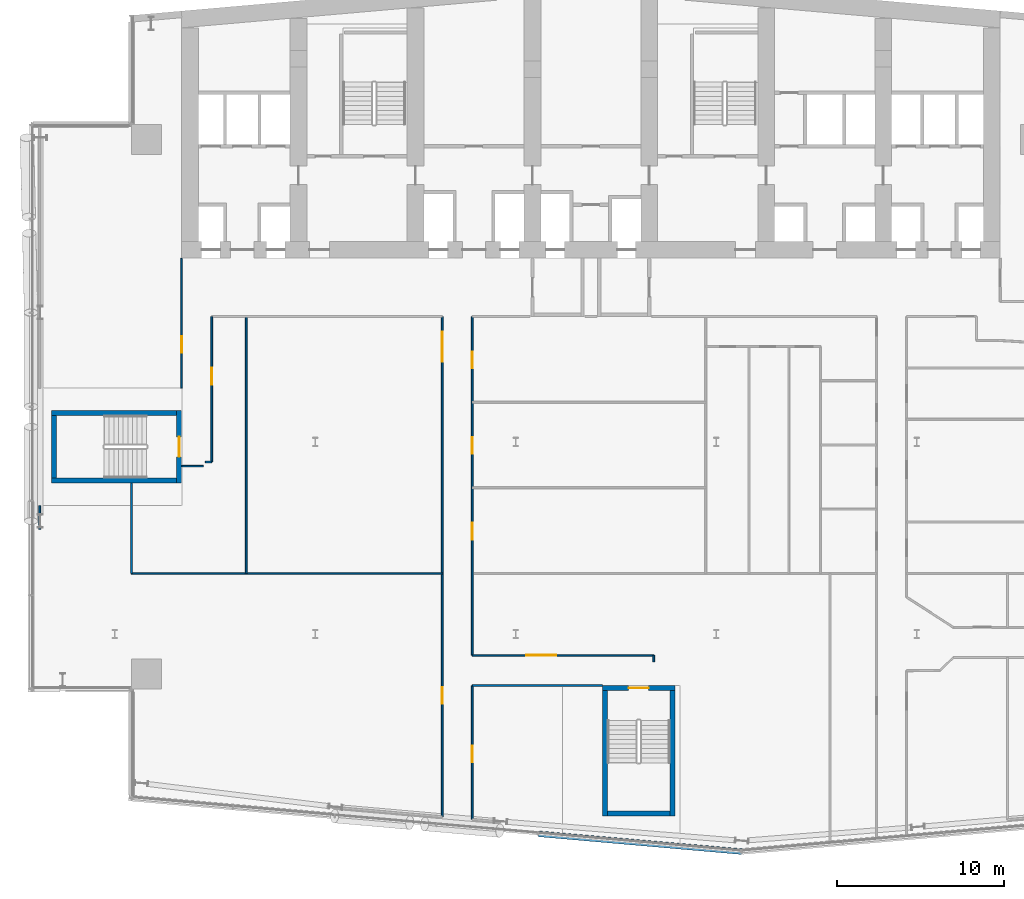
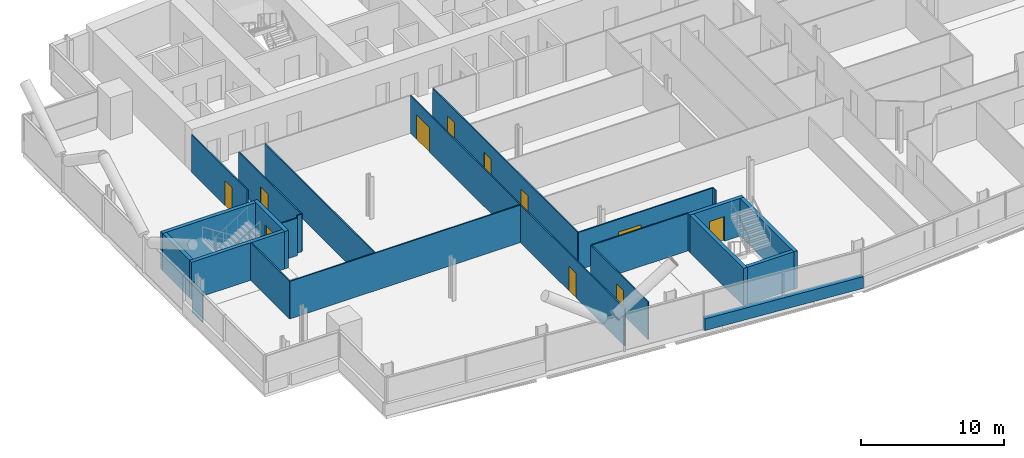
# One storey, part 14 of 27: 23 walls, 11 doors, 11 openings.
"""IFC4 building model written with IfcOpenShell, lengths in metres."""

import ifcopenshell
import ifcopenshell.guid

model = None  # the IFC model being written
_history = None  # IfcOwnerHistory: only IFC2X3 demands one
_inside = {}  # id of a spatial element -> (the spatial element, [elements in it])
_under = {}  # id of a project, library or spatial element -> (it, [spatial elements below it])
_declared = {}  # id of a project -> (the project, [libraries it declares])
_typed = {}  # id of a type object -> (the type object, [elements of that type])
_made_of = {}  # id of a material, layer set ... -> (it, [elements and type objects made of it])


def new_model(schema):
    """Start an empty IFC model of exactly this schema.

    Asked for "IFC4X3", IfcOpenShell would pick the latest addendum, in which some entities
    have other attributes; the version numbers below select the first issue.
    IFC2X3 requires an IfcOwnerHistory on every rooted entity: one is made here for all.
    """
    global model, _history
    if schema == "IFC4X3":
        model = ifcopenshell.file(schema_version=(4, 3, 0, 0))
    else:
        model = ifcopenshell.file(schema=schema)
    _inside.clear()
    _under.clear()
    _declared.clear()
    _typed.clear()
    _made_of.clear()
    _history = None
    if model.schema == "IFC2X3":
        org = make("IfcOrganization", Name="unknown")
        user = make(
            "IfcPersonAndOrganization",
            ThePerson=make("IfcPerson", FamilyName="unknown"),
            TheOrganization=org,
        )
        app = make(
            "IfcApplication",
            ApplicationDeveloper=org,
            Version="unknown",
            ApplicationFullName="unknown",
            ApplicationIdentifier="unknown",
        )
        _history = make(
            "IfcOwnerHistory",
            OwningUser=user,
            OwningApplication=app,
            ChangeAction="ADDED",
            CreationDate=0,
        )
    return model


def make(cls, **values):
    """One entity of the class cls with the attributes given. An attribute that is None is left unset."""
    return model.create_entity(
        cls, **{name: value for name, value in values.items() if value is not None}
    )


def rooted(cls, **values):
    """An entity with a GlobalId (a new one), such as an element, a storey or a relation."""
    return make(cls, GlobalId=ifcopenshell.guid.new(), OwnerHistory=_history, **values)


def si_unit(unit_type, name, prefix=None):
    """IfcSIUnit, for example si_unit("LENGTHUNIT", "METRE", prefix="MILLI")."""
    return make("IfcSIUnit", UnitType=unit_type, Prefix=prefix, Name=name)


def assignment(units):
    """IfcUnitAssignment: the units of a project."""
    return None if units is None else make("IfcUnitAssignment", Units=units)


def point(xyz):
    """IfcCartesianPoint."""
    return None if xyz is None else make("IfcCartesianPoint", Coordinates=xyz)


def direction(xyz):
    """IfcDirection."""
    return None if xyz is None else make("IfcDirection", DirectionRatios=xyz)


def frame(location, z_axis=None, x_axis=None):
    """IfcAxis2Placement3D, a coordinate frame: its origin and axes. An axis left out is left unset."""
    return make(
        "IfcAxis2Placement3D",
        Location=point(location),
        Axis=direction(z_axis),
        RefDirection=direction(x_axis),
    )


def frame_2d(location, x_axis=None):
    """IfcAxis2Placement2D, a coordinate frame in the plane: its origin and x axis."""
    return make(
        "IfcAxis2Placement2D", Location=point(location), RefDirection=direction(x_axis)
    )


def origin():
    """The frame at (0, 0, 0) with its axes left unset."""
    return frame((0.0, 0.0, 0.0))


def place(relative_to, where):
    """IfcLocalPlacement: puts the frame where relative to a parent placement (None: the world)."""
    return make(
        "IfcLocalPlacement", PlacementRelTo=relative_to, RelativePlacement=where
    )


def context(
    kind, dimensions, precision=None, world=None, true_north=None, identifier=None
):
    """IfcGeometricRepresentationContext, for example the 3D "Model" context."""
    return make(
        "IfcGeometricRepresentationContext",
        ContextIdentifier=identifier,
        ContextType=kind,
        CoordinateSpaceDimension=dimensions,
        Precision=precision,
        WorldCoordinateSystem=world,
        TrueNorth=true_north,
    )


def subcontext(parent, identifier, kind, view, scale=None):
    """IfcGeometricRepresentationSubContext, for example "Body" below "Model"."""
    return make(
        "IfcGeometricRepresentationSubContext",
        ContextIdentifier=identifier,
        ContextType=kind,
        ParentContext=parent,
        TargetScale=scale,
        TargetView=view,
    )


def project(units=None, contexts=None):
    """IfcProject with its units and contexts."""
    return rooted(
        "IfcProject",
        Name="project",
        RepresentationContexts=contexts,
        UnitsInContext=assignment(units),
    )


def spatial(cls, under=None, at=None, **own):
    """A site, building, storey or space (cls), placed at a placement, below another one or the project."""
    s = rooted(cls, ObjectPlacement=at, **own)
    if under is not None:
        _under.setdefault(under.id(), (under, []))[1].append(s)
    return s


def profile(cls, at=None, kind="AREA", **sizes):
    """A parametric profile (cls). Its sizes go by their IFC names, for example OverallWidth=200.0."""
    return make(cls, ProfileType=kind, Position=at, **sizes)


def rectangle(**sizes):
    """IfcRectangleProfileDef."""
    return profile("IfcRectangleProfileDef", **sizes)


def extrude(swept, where, along, depth):
    """IfcExtrudedAreaSolid: the profile swept, set in the frame where, extruded along a direction by depth."""
    return make(
        "IfcExtrudedAreaSolid",
        SweptArea=swept,
        Position=where,
        ExtrudedDirection=direction(along),
        Depth=depth,
    )


def shape(context_of_items, identifier, shape_type, items):
    """IfcShapeRepresentation: the items that make up one representation, for example the "Body"."""
    return make(
        "IfcShapeRepresentation",
        ContextOfItems=context_of_items,
        RepresentationIdentifier=identifier,
        RepresentationType=shape_type,
        Items=items,
    )


def material(Name=None, Category=None):
    """IfcMaterial."""
    return make("IfcMaterial", Name=Name, Category=Category)


def layer(
    of_material, thickness, ventilated=None, Name=None, Category=None, Priority=None
):
    """IfcMaterialLayer: one layer of a wall or slab, of a material (None: an air gap)."""
    return make(
        "IfcMaterialLayer",
        Material=of_material,
        LayerThickness=thickness,
        IsVentilated=ventilated,
        Name=Name,
        Category=Category,
        Priority=Priority,
    )


def layer_set(layers, Name=None):
    """IfcMaterialLayerSet."""
    return make("IfcMaterialLayerSet", MaterialLayers=layers, LayerSetName=Name)


def made_of(thing, what):
    """Note that an element or type object is made of a material, layer set ...; save() writes the relation."""
    if what is not None:
        _made_of.setdefault(what.id(), (what, []))[1].append(thing)
    return thing


def type_object(cls, material=None, **own):
    """A type object (cls), such as IfcWallType, which elements share."""
    return made_of(rooted(cls, **own), material)


def element(
    cls,
    number,
    at=None,
    inside=None,
    cuts=None,
    type_object=None,
    material=None,
    context=None,
    identifier="Body",
    shape_type=None,
    held_by="IfcProductDefinitionShape",
    body=None,
    shapes=None,
    **own,
):
    """One element of the class cls, such as IfcWall. Its Tag is "e" and its number.

    at: its placement. inside: the storey or other place that contains it. cuts: it is an
    opening in that element (IfcRelVoidsElement). A single representation is given by context,
    identifier, shape_type and body (its items); several are given by shapes. held_by: the class
    of the entity that holds the representations. save() writes the other relations.
    """
    e = rooted(cls, Tag="e%d" % number, ObjectPlacement=at, **own)
    if body is not None:
        shapes = [shape(context, identifier, shape_type, body)]
    if shapes is not None:
        e.Representation = make(held_by, Representations=shapes)
    if inside is not None:
        _inside.setdefault(inside.id(), (inside, []))[1].append(e)
    if cuts is not None:
        rooted(
            "IfcRelVoidsElement", RelatingBuildingElement=cuts, RelatedOpeningElement=e
        )
    if type_object is not None:
        _typed.setdefault(type_object.id(), (type_object, []))[1].append(e)
    return made_of(e, material)


def fill(opening, filler):
    """IfcRelFillsElement: the door or window that sits in an opening."""
    return rooted(
        "IfcRelFillsElement",
        RelatingOpeningElement=opening,
        RelatedBuildingElement=filler,
    )


def aggregate(whole, parts):
    """IfcRelAggregates: a whole, such as a stair, and the parts it consists of."""
    return rooted("IfcRelAggregates", RelatingObject=whole, RelatedObjects=parts)


def save(model, path):
    """Write the relations noted so far, then the file.

    IfcRelAggregates (storeys below a building ...), IfcRelContainedInSpatialStructure (elements
    in a storey), IfcRelDefinesByType, IfcRelAssociatesMaterial and IfcRelDeclares: one each for
    every whole, place, type object, material and project.
    """
    for whole, parts in _under.values():
        aggregate(whole, parts)
    for where, things in _inside.values():
        rooted(
            "IfcRelContainedInSpatialStructure",
            RelatedElements=things,
            RelatingStructure=where,
        )
    for kind, things in _typed.values():
        rooted("IfcRelDefinesByType", RelatedObjects=things, RelatingType=kind)
    for what, things in _made_of.values():
        rooted("IfcRelAssociatesMaterial", RelatedObjects=things, RelatingMaterial=what)
    for by, libraries in _declared.values():
        rooted("IfcRelDeclares", RelatingContext=by, RelatedDefinitions=libraries)
    model.write(path)


model = new_model("IFC4")

# Units and contexts
model_context = context("Model", 3, precision=1e-05, world=origin(), true_north=direction((0.0, 1.0)))
body_context = subcontext(model_context, "Body", "Model", "MODEL_VIEW")
ifc_project = project(units=[si_unit("LENGTHUNIT", "METRE"), si_unit("AREAUNIT", "SQUARE_METRE"), si_unit("VOLUMEUNIT", "CUBIC_METRE"), si_unit("PLANEANGLEUNIT", "RADIAN"), si_unit("MASSUNIT", "GRAM", prefix="KILO")], contexts=[model_context])

# Site, building, storey
site_placement = place(None, origin())
site = spatial("IfcSite", under=ifc_project, at=site_placement, CompositionType="ELEMENT")
building_placement = place(site_placement, origin())
building = spatial("IfcBuilding", under=site, at=building_placement, Name="Wharfspan Tower", CompositionType="ELEMENT")
storey_placement = place(building_placement, frame((0.0, 0.0, 111.100098)))
storey = spatial("IfcBuildingStorey", under=building, at=storey_placement, Name="L25", CompositionType="ELEMENT", Elevation=111.100098)

# Wall
ifc_material_1 = material(Name="Gypsum board on steel studs", Category="steel")
ifc_layer_1 = layer(ifc_material_1, 0.100098)
ifc_layer_set_1 = layer_set([ifc_layer_1], Name="Gypsum board on steel studs")
wall_type_1 = type_object("IfcWallType", Name="Compartment wall 100 EI 60", PredefinedType="PARTITIONING", material=ifc_layer_set_1)
wall_1_placement = place(storey_placement, frame((13.0, 15.129883, 0.0), z_axis=(0.0, 0.0, 1.0), x_axis=(1.0, 0.0, 0.0)))
element("IfcWall", 1, at=wall_1_placement, inside=storey, type_object=wall_type_1, Name="Partition L25.w004", PredefinedType="PARTITIONING", context=body_context, shape_type="SweptSolid", body=[
    extrude(rectangle(XDim=18.600098, YDim=0.100098, at=frame_2d((9.300049, 0.0))), origin(), (0.0, 0.0, 1.0), 3.199951),
])

# Wall, opening, door
wall_2_placement = place(storey_placement, frame((16.0, 26.219971, 0.0), z_axis=(0.0, 0.0, 1.0), x_axis=(0.0, 1.0, 0.0)))
wall_2 = element("IfcWall", 2, at=wall_2_placement, inside=storey, type_object=wall_type_1, Name="Partition L25.w005", PredefinedType="PARTITIONING", context=body_context, shape_type="SweptSolid", body=[
    extrude(rectangle(XDim=7.76001, YDim=0.100098, at=frame_2d((3.879883, 0.0))), origin(), (0.0, 0.0, 1.0), 3.199951),
])
opening_1_placement = place(wall_2_placement, frame((2.100098, 0.0, 0.0)))
opening_1 = element("IfcOpeningElement", 3, at=opening_1_placement, cuts=wall_2, Name="Opening B3-23", PredefinedType="OPENING", context=body_context, shape_type="SweptSolid", body=[
    extrude(rectangle(XDim=1.0, YDim=2.100098, at=frame_2d((0.5, 1.050049))), frame((0.0, 0.060059, 0.0), z_axis=(0.0, -1.0, 0.0), x_axis=(1.0, 0.0, 0.0)), (0.0, 0.0, 1.0), 0.120117),
])
ifc_material_2 = material(Name="Fire-rated timber door leaf in steel frame", Category="steel")
door_type_1 = type_object("IfcDoorType", Name="Door 1000 FD30S Left", OperationType="SINGLE_SWING_LEFT", PredefinedType="DOOR", material=ifc_material_2)
door_1_placement = place(opening_1_placement, origin())
door_1 = element("IfcDoor", 4, at=door_1_placement, inside=storey, type_object=door_type_1, Name="Door B3-23", OperationType="SINGLE_SWING_LEFT", OverallHeight=2.100098, OverallWidth=1.0, PredefinedType="DOOR", context=body_context, shape_type="SweptSolid", body=[
    extrude(rectangle(XDim=1.0, YDim=2.100098, at=frame_2d((0.5, 1.050049))), frame((0.0, 0.024902, 0.0), z_axis=(0.0, -1.0, 0.0), x_axis=(1.0, 0.0, 0.0)), (0.0, 0.0, 1.0), 0.050049),
])
fill(opening_1, door_1)

# Walls
wall_3_placement = place(storey_placement, frame((16.02002, 21.550049, 0.0), z_axis=(0.0, 0.0, 1.0), x_axis=(1.0, 0.0, 0.0)))
element("IfcWall", 5, at=wall_3_placement, inside=storey, type_object=wall_type_1, Name="Partition L25.w006", PredefinedType="PARTITIONING", context=body_context, shape_type="SweptSolid", body=[
    extrude(rectangle(XDim=1.280029, YDim=0.100098, at=frame_2d((0.640137, 0.0))), origin(), (0.0, 0.0, 1.0), 3.199951),
])
wall_4_placement = place(storey_placement, frame((17.419922, 21.800049, 0.0), z_axis=(0.0, 0.0, 1.0), x_axis=(1.0, 0.0, 0.0)))
element("IfcWall", 6, at=wall_4_placement, inside=storey, type_object=wall_type_1, Name="Partition L25.w007", PredefinedType="PARTITIONING", context=body_context, shape_type="SweptSolid", body=[
    extrude(rectangle(XDim=0.380127, YDim=0.100098, at=frame_2d((0.189941, 0.0))), origin(), (0.0, 0.0, 1.0), 3.199951),
])

# Wall, opening, door
wall_5_placement = place(storey_placement, frame((17.800049, 21.800049, 0.0), z_axis=(0.0, 0.0, 1.0), x_axis=(0.0, 1.0, 0.0)))
wall_5 = element("IfcWall", 7, at=wall_5_placement, inside=storey, type_object=wall_type_1, Name="Partition L25.w008", PredefinedType="PARTITIONING", context=body_context, shape_type="SweptSolid", body=[
    extrude(rectangle(XDim=8.699951, YDim=0.100098, at=frame_2d((4.350098, 0.0))), origin(), (0.0, 0.0, 1.0), 3.199951),
])
opening_2_placement = place(wall_5_placement, frame((4.631348, 0.0, 0.0)))
opening_2 = element("IfcOpeningElement", 8, at=opening_2_placement, cuts=wall_5, Name="Opening B3-17", PredefinedType="OPENING", context=body_context, shape_type="SweptSolid", body=[
    extrude(rectangle(XDim=1.0, YDim=2.100098, at=frame_2d((0.5, 1.050049))), frame((0.0, 0.060059, 0.0), z_axis=(0.0, -1.0, 0.0), x_axis=(1.0, 0.0, 0.0)), (0.0, 0.0, 1.0), 0.120117),
])
door_type_2 = type_object("IfcDoorType", Name="Door 1000 FD30S Right", OperationType="SINGLE_SWING_RIGHT", PredefinedType="DOOR", material=ifc_material_2)
door_2_placement = place(opening_2_placement, origin())
door_2 = element("IfcDoor", 9, at=door_2_placement, inside=storey, type_object=door_type_2, Name="Door B3-17", OperationType="SINGLE_SWING_RIGHT", OverallHeight=2.100098, OverallWidth=1.0, PredefinedType="DOOR", context=body_context, shape_type="SweptSolid", body=[
    extrude(rectangle(XDim=1.0, YDim=2.100098, at=frame_2d((0.5, 1.050049))), frame((0.0, 0.024902, 0.0), z_axis=(0.0, -1.0, 0.0), x_axis=(1.0, 0.0, 0.0)), (0.0, 0.0, 1.0), 0.050049),
])
fill(opening_2, door_2)

# Wall
wall_6_placement = place(storey_placement, frame((19.875, 15.129883, 0.0), z_axis=(0.0, 0.0, 1.0), x_axis=(0.0, 1.0, 0.0)))
element("IfcWall", 10, at=wall_6_placement, inside=storey, type_object=wall_type_1, Name="Partition L25.w010", PredefinedType="PARTITIONING", context=body_context, shape_type="SweptSolid", body=[
    extrude(rectangle(XDim=15.370117, YDim=0.100098, at=frame_2d((7.685059, 0.0))), origin(), (0.0, 0.0, 1.0), 3.199951),
])

# Wall, openings, doors
wall_7_placement = place(storey_placement, frame((31.600098, 0.560059, 0.0), z_axis=(0.0, 0.0, 1.0), x_axis=(0.0, 1.0, 0.0)))
wall_7 = element("IfcWall", 11, at=wall_7_placement, inside=storey, type_object=wall_type_1, Name="Partition L25.w011", PredefinedType="PARTITIONING", context=body_context, shape_type="SweptSolid", body=[
    extrude(rectangle(XDim=29.939941, YDim=0.100098, at=frame_2d((14.969971, 0.0))), origin(), (0.0, 0.0, 1.0), 3.199951),
])
opening_3_placement = place(wall_7_placement, frame((6.75, 0.0, 0.0)))
opening_3 = element("IfcOpeningElement", 12, at=opening_3_placement, cuts=wall_7, Name="Opening B3-04", PredefinedType="OPENING", context=body_context, shape_type="SweptSolid", body=[
    extrude(rectangle(XDim=1.0, YDim=2.100098, at=frame_2d((0.5, 1.050049))), frame((0.0, 0.060059, 0.0), z_axis=(0.0, -1.0, 0.0), x_axis=(1.0, 0.0, 0.0)), (0.0, 0.0, 1.0), 0.120117),
])
opening_4_placement = place(wall_7_placement, frame((27.245117, 0.0, 0.0)))
opening_4 = element("IfcOpeningElement", 13, at=opening_4_placement, cuts=wall_7, Name="Opening B3-22", PredefinedType="OPENING", context=body_context, shape_type="SweptSolid", body=[
    extrude(rectangle(XDim=1.800049, YDim=2.100098, at=frame_2d((0.899902, 1.050049))), frame((0.0, 0.060059, 0.0), z_axis=(0.0, -1.0, 0.0), x_axis=(1.0, 0.0, 0.0)), (0.0, 0.0, 1.0), 0.120117),
])
door_3_placement = place(opening_3_placement, origin())
door_3 = element("IfcDoor", 14, at=door_3_placement, inside=storey, type_object=door_type_1, Name="Door B3-04", OperationType="SINGLE_SWING_LEFT", OverallHeight=2.100098, OverallWidth=1.0, PredefinedType="DOOR", context=body_context, shape_type="SweptSolid", body=[
    extrude(rectangle(XDim=1.0, YDim=2.100098, at=frame_2d((0.5, 1.050049))), frame((0.0, 0.024902, 0.0), z_axis=(0.0, -1.0, 0.0), x_axis=(1.0, 0.0, 0.0)), (0.0, 0.0, 1.0), 0.050049),
])
fill(opening_3, door_3)
door_type_3 = type_object("IfcDoorType", Name="Door 1800 FD30S Double", OperationType="DOUBLE_DOOR_SINGLE_SWING", PredefinedType="DOOR", material=ifc_material_2)
door_4_placement = place(opening_4_placement, origin())
door_4 = element("IfcDoor", 15, at=door_4_placement, inside=storey, type_object=door_type_3, Name="Door B3-22", OperationType="DOUBLE_DOOR_SINGLE_SWING", OverallHeight=2.100098, OverallWidth=1.800049, PredefinedType="DOOR", context=body_context, shape_type="SweptSolid", body=[
    extrude(rectangle(XDim=1.800049, YDim=2.100098, at=frame_2d((0.899902, 1.050049))), frame((0.0, 0.024902, 0.0), z_axis=(0.0, -1.0, 0.0), x_axis=(1.0, 0.0, 0.0)), (0.0, 0.0, 1.0), 0.050049),
])
fill(opening_4, door_4)

# Wall, opening, door
wall_8_placement = place(storey_placement, frame((33.399902, 0.399902, 0.0), z_axis=(0.0, 0.0, 1.0), x_axis=(0.0, 1.0, 0.0)))
wall_8 = element("IfcWall", 16, at=wall_8_placement, inside=storey, type_object=wall_type_1, Name="Partition L25.w013", PredefinedType="PARTITIONING", context=body_context, shape_type="SweptSolid", body=[
    extrude(rectangle(XDim=8.015137, YDim=0.100098, at=frame_2d((4.007568, 0.0))), origin(), (0.0, 0.0, 1.0), 3.199951),
])
opening_5_placement = place(wall_8_placement, frame((3.419922, 0.0, 0.0)))
opening_5 = element("IfcOpeningElement", 17, at=opening_5_placement, cuts=wall_8, Name="Opening B3-01", PredefinedType="OPENING", context=body_context, shape_type="SweptSolid", body=[
    extrude(rectangle(XDim=1.0, YDim=2.100098, at=frame_2d((0.5, 1.050049))), frame((0.0, 0.060059, 0.0), z_axis=(0.0, -1.0, 0.0), x_axis=(1.0, 0.0, 0.0)), (0.0, 0.0, 1.0), 0.120117),
])
door_5_placement = place(opening_5_placement, origin())
door_5 = element("IfcDoor", 18, at=door_5_placement, inside=storey, type_object=door_type_1, Name="Door B3-01", OperationType="SINGLE_SWING_LEFT", OverallHeight=2.100098, OverallWidth=1.0, PredefinedType="DOOR", context=body_context, shape_type="SweptSolid", body=[
    extrude(rectangle(XDim=1.0, YDim=2.100098, at=frame_2d((0.5, 1.050049))), frame((0.0, 0.024902, 0.0), z_axis=(0.0, -1.0, 0.0), x_axis=(1.0, 0.0, 0.0)), (0.0, 0.0, 1.0), 0.050049),
])
fill(opening_5, door_5)

# Wall
wall_9_placement = place(storey_placement, frame((33.399902, 8.415039, 0.0), z_axis=(0.0, 0.0, 1.0), x_axis=(1.0, 0.0, 0.0)))
element("IfcWall", 19, at=wall_9_placement, inside=storey, type_object=wall_type_1, Name="Partition L25.w014", PredefinedType="PARTITIONING", context=body_context, shape_type="SweptSolid", body=[
    extrude(rectangle(XDim=7.7854, YDim=0.100098, at=frame_2d((3.892578, 0.0))), origin(), (0.0, 0.0, 1.0), 3.199951),
])

# Wall, openings, doors
wall_10_placement = place(storey_placement, frame((33.399902, 10.219971, 0.0), z_axis=(0.0, 0.0, 1.0), x_axis=(0.0, 1.0, 0.0)))
wall_10 = element("IfcWall", 20, at=wall_10_placement, inside=storey, type_object=wall_type_1, Name="Partition L25.w015", PredefinedType="PARTITIONING", context=body_context, shape_type="SweptSolid", body=[
    extrude(rectangle(XDim=20.280029, YDim=0.100098, at=frame_2d((10.140137, 0.0))), origin(), (0.0, 0.0, 1.0), 3.199951),
])
opening_6_placement = place(wall_10_placement, frame((6.929932, 0.0, 0.0)))
opening_6 = element("IfcOpeningElement", 21, at=opening_6_placement, cuts=wall_10, Name="Opening B3-10", PredefinedType="OPENING", context=body_context, shape_type="SweptSolid", body=[
    extrude(rectangle(XDim=1.0, YDim=2.100098, at=frame_2d((0.5, 1.050049))), frame((0.0, 0.060059, 0.0), z_axis=(0.0, -1.0, 0.0), x_axis=(1.0, 0.0, 0.0)), (0.0, 0.0, 1.0), 0.120117),
])
opening_7_placement = place(wall_10_placement, frame((12.054932, 0.0, 0.0)))
opening_7 = element("IfcOpeningElement", 22, at=opening_7_placement, cuts=wall_10, Name="Opening B3-13", PredefinedType="OPENING", context=body_context, shape_type="SweptSolid", body=[
    extrude(rectangle(XDim=1.0, YDim=2.100098, at=frame_2d((0.5, 1.050049))), frame((0.0, 0.060059, 0.0), z_axis=(0.0, -1.0, 0.0), x_axis=(1.0, 0.0, 0.0)), (0.0, 0.0, 1.0), 0.120117),
])
opening_8_placement = place(wall_10_placement, frame((17.179932, 0.0, 0.0)))
opening_8 = element("IfcOpeningElement", 23, at=opening_8_placement, cuts=wall_10, Name="Opening B3-18", PredefinedType="OPENING", context=body_context, shape_type="SweptSolid", body=[
    extrude(rectangle(XDim=1.0, YDim=2.100098, at=frame_2d((0.5, 1.050049))), frame((0.0, 0.060059, 0.0), z_axis=(0.0, -1.0, 0.0), x_axis=(1.0, 0.0, 0.0)), (0.0, 0.0, 1.0), 0.120117),
])
door_6_placement = place(opening_6_placement, origin())
door_6 = element("IfcDoor", 24, at=door_6_placement, inside=storey, type_object=door_type_1, Name="Door B3-10", OperationType="SINGLE_SWING_LEFT", OverallHeight=2.100098, OverallWidth=1.0, PredefinedType="DOOR", context=body_context, shape_type="SweptSolid", body=[
    extrude(rectangle(XDim=1.0, YDim=2.100098, at=frame_2d((0.5, 1.050049))), frame((0.0, 0.024902, 0.0), z_axis=(0.0, -1.0, 0.0), x_axis=(1.0, 0.0, 0.0)), (0.0, 0.0, 1.0), 0.050049),
])
fill(opening_6, door_6)
door_7_placement = place(opening_7_placement, origin())
door_7 = element("IfcDoor", 25, at=door_7_placement, inside=storey, type_object=door_type_2, Name="Door B3-13", OperationType="SINGLE_SWING_RIGHT", OverallHeight=2.100098, OverallWidth=1.0, PredefinedType="DOOR", context=body_context, shape_type="SweptSolid", body=[
    extrude(rectangle(XDim=1.0, YDim=2.100098, at=frame_2d((0.5, 1.050049))), frame((0.0, 0.024902, 0.0), z_axis=(0.0, -1.0, 0.0), x_axis=(1.0, 0.0, 0.0)), (0.0, 0.0, 1.0), 0.050049),
])
fill(opening_7, door_7)
door_8_placement = place(opening_8_placement, origin())
door_8 = element("IfcDoor", 26, at=door_8_placement, inside=storey, type_object=door_type_2, Name="Door B3-18", OperationType="SINGLE_SWING_RIGHT", OverallHeight=2.100098, OverallWidth=1.0, PredefinedType="DOOR", context=body_context, shape_type="SweptSolid", body=[
    extrude(rectangle(XDim=1.0, YDim=2.100098, at=frame_2d((0.5, 1.050049))), frame((0.0, 0.024902, 0.0), z_axis=(0.0, -1.0, 0.0), x_axis=(1.0, 0.0, 0.0)), (0.0, 0.0, 1.0), 0.050049),
])
fill(opening_8, door_8)

# Wall, opening, door
wall_11_placement = place(storey_placement, frame((33.399902, 10.219971, 0.0), z_axis=(0.0, 0.0, 1.0), x_axis=(1.0, 0.0, 0.0)))
wall_11 = element("IfcWall", 27, at=wall_11_placement, inside=storey, type_object=wall_type_1, Name="Partition L25.w016", PredefinedType="PARTITIONING", context=body_context, shape_type="SweptSolid", body=[
    extrude(rectangle(XDim=10.860107, YDim=0.100098, at=frame_2d((5.430176, 0.0))), origin(), (0.0, 0.0, 1.0), 3.199951),
])
opening_9_placement = place(wall_11_placement, frame((3.233154, 0.0, 0.0)))
opening_9 = element("IfcOpeningElement", 28, at=opening_9_placement, cuts=wall_11, Name="Opening B3-06", PredefinedType="OPENING", context=body_context, shape_type="SweptSolid", body=[
    extrude(rectangle(XDim=1.800049, YDim=2.100098, at=frame_2d((0.899902, 1.050049))), frame((0.0, 0.060059, 0.0), z_axis=(0.0, -1.0, 0.0), x_axis=(1.0, 0.0, 0.0)), (0.0, 0.0, 1.0), 0.120117),
])
door_9_placement = place(opening_9_placement, origin())
door_9 = element("IfcDoor", 29, at=door_9_placement, inside=storey, type_object=door_type_3, Name="Door B3-06", OperationType="DOUBLE_DOOR_SINGLE_SWING", OverallHeight=2.100098, OverallWidth=1.800049, PredefinedType="DOOR", context=body_context, shape_type="SweptSolid", body=[
    extrude(rectangle(XDim=1.800049, YDim=2.100098, at=frame_2d((0.899902, 1.050049))), frame((0.0, 0.024902, 0.0), z_axis=(0.0, -1.0, 0.0), x_axis=(1.0, 0.0, 0.0)), (0.0, 0.0, 1.0), 0.050049),
])
fill(opening_9, door_9)

# Walls
wall_12_placement = place(storey_placement, frame((44.26001, 9.834961, 0.0), z_axis=(0.0, 0.0, 1.0), x_axis=(0.0, 1.0, 0.0)))
element("IfcWall", 30, at=wall_12_placement, inside=storey, type_object=wall_type_1, Name="Partition L25.w023", PredefinedType="PARTITIONING", context=body_context, shape_type="SweptSolid", body=[
    extrude(rectangle(XDim=0.380127, YDim=0.100098, at=frame_2d((0.189941, 0.0))), origin(), (0.0, 0.0, 1.0), 3.199951),
])
ifc_layer_2 = layer(ifc_material_1, 0.100098)
ifc_layer_set_2 = layer_set([ifc_layer_2], Name="Gypsum board on steel studs")
wall_type_2 = type_object("IfcWallType", Name="Partition 100", PredefinedType="PARTITIONING", material=ifc_layer_set_2)
wall_13_placement = place(storey_placement, frame((7.51001, 17.764893, 0.0), z_axis=(0.0, 0.0, 1.0), x_axis=(0.0, 1.0, 0.0)))
element("IfcWall", 31, at=wall_13_placement, inside=storey, type_object=wall_type_2, Name="Partition L25.w001", PredefinedType="PARTITIONING", context=body_context, shape_type="SweptSolid", body=[
    extrude(rectangle(XDim=1.415039, YDim=0.100098, at=frame_2d((0.70752, 0.0))), origin(), (0.0, 0.0, 1.0), 2.579834),
])
wall_14_placement = place(storey_placement, frame((13.0, 15.129883, 0.0), z_axis=(0.0, 0.0, 1.0), x_axis=(0.0, 1.0, 0.0)))
element("IfcWall", 32, at=wall_14_placement, inside=storey, type_object=wall_type_2, Name="Partition L25.w003", PredefinedType="PARTITIONING", context=body_context, shape_type="SweptSolid", body=[
    extrude(rectangle(XDim=5.39502, YDim=0.100098, at=frame_2d((2.69751, 0.0))), origin(), (0.0, 0.0, 1.0), 3.199951),
])
ifc_material_3 = material(Name="Concrete C40/50", Category="concrete")
ifc_layer_3 = layer(ifc_material_3, 0.350098)
ifc_layer_set_3 = layer_set([ifc_layer_3], Name="Concrete C40/50")
wall_type_3 = type_object("IfcWallType", Name="SPANDREL EXPOSED CONCRETE 350", PredefinedType="SOLIDWALL", material=ifc_layer_set_3)
wall_15_placement = place(storey_placement, frame((37.362793, -0.461426, 0.0), z_axis=(0.0, 0.0, 1.0), x_axis=(0.996194, -0.087159, 0.0)))
element("IfcWall", 33, at=wall_15_placement, inside=storey, type_object=wall_type_3, Name="Spandrel upstand L25 S1 2", PredefinedType="SOLIDWALL", context=body_context, shape_type="SweptSolid", body=[
    extrude(rectangle(XDim=12.19873, YDim=0.350098, at=frame_2d((6.099365, 0.0))), origin(), (0.0, 0.0, 1.0), 1.0),
])

# Wall, opening, door
ifc_layer_4 = layer(ifc_material_3, 0.300049)
ifc_layer_set_4 = layer_set([ifc_layer_4], Name="Concrete C40/50")
wall_type_4 = type_object("IfcWallType", Name="Stair core wall 300", PredefinedType="SHEAR", material=ifc_layer_set_4)
wall_16_placement = place(storey_placement, frame((15.850098, 20.524902, 0.0), z_axis=(0.0, 0.0, 1.0), x_axis=(0.0, 1.0, 0.0)))
wall_16 = element("IfcWall", 34, at=wall_16_placement, inside=storey, type_object=wall_type_4, Name="ST3 stair enclosure wall L25", PredefinedType="SHEAR", context=body_context, shape_type="SweptSolid", body=[
    extrude(rectangle(XDim=4.350098, YDim=0.300049, at=frame_2d((2.175049, 0.0))), origin(), (0.0, 0.0, 1.0), 3.199951),
])
opening_10_placement = place(wall_16_placement, frame((1.574951, 0.0, 0.0)))
opening_10 = element("IfcOpeningElement", 35, at=opening_10_placement, cuts=wall_16, Name="Opening SD3.L25", PredefinedType="OPENING", context=body_context, shape_type="SweptSolid", body=[
    extrude(rectangle(XDim=1.199951, YDim=2.100098, at=frame_2d((0.600098, 1.050049))), frame((0.0, 0.159912, 0.0), z_axis=(0.0, -1.0, 0.0), x_axis=(1.0, 0.0, 0.0)), (0.0, 0.0, 1.0), 0.320068),
])
ifc_material_4 = material(Name="Steel door leaf", Category="steel")
door_type_4 = type_object("IfcDoorType", Name="Stair door 1200x2100", OperationType="SINGLE_SWING_LEFT", PredefinedType="DOOR", material=ifc_material_4)
door_10_placement = place(opening_10_placement, origin())
door_10 = element("IfcDoor", 36, at=door_10_placement, inside=storey, type_object=door_type_4, Name="sd:L25:ST3z2", OperationType="SINGLE_SWING_RIGHT", OverallHeight=2.100098, OverallWidth=1.199951, PredefinedType="DOOR", context=body_context, shape_type="SweptSolid", body=[
    extrude(rectangle(XDim=1.199951, YDim=2.100098, at=frame_2d((0.600098, 1.050049))), frame((0.0, 0.024902, 0.0), z_axis=(0.0, -1.0, 0.0), x_axis=(1.0, 0.0, 0.0)), (0.0, 0.0, 1.0), 0.050049),
])
fill(opening_10, door_10)

wall_17_placement = place(storey_placement, frame((41.185303, 8.26709, 0.0), z_axis=(0.0, 0.0, 1.0), x_axis=(1.0, 0.0, 0.0)))
wall_17 = element("IfcWall", 37, at=wall_17_placement, inside=storey, type_object=wall_type_4, Name="ST4 stair enclosure wall L25", PredefinedType="SHEAR", context=body_context, shape_type="SweptSolid", body=[
    extrude(rectangle(XDim=4.350098, YDim=0.300049, at=frame_2d((2.175049, 0.0))), origin(), (0.0, 0.0, 1.0), 3.199951),
])
opening_11_placement = place(wall_17_placement, frame((1.574951, 0.0, 0.0)))
opening_11 = element("IfcOpeningElement", 38, at=opening_11_placement, cuts=wall_17, Name="Opening SD4.L25", PredefinedType="OPENING", context=body_context, shape_type="SweptSolid", body=[
    extrude(rectangle(XDim=1.199951, YDim=2.100098, at=frame_2d((0.600098, 1.050049))), frame((0.0, 0.159912, 0.0), z_axis=(0.0, -1.0, 0.0), x_axis=(1.0, 0.0, 0.0)), (0.0, 0.0, 1.0), 0.320068),
])
door_11_placement = place(opening_11_placement, origin())
door_11 = element("IfcDoor", 39, at=door_11_placement, inside=storey, type_object=door_type_4, Name="sd:L25:ST4z2", OperationType="SINGLE_SWING_RIGHT", OverallHeight=2.100098, OverallWidth=1.199951, PredefinedType="DOOR", context=body_context, shape_type="SweptSolid", body=[
    extrude(rectangle(XDim=1.199951, YDim=2.100098, at=frame_2d((0.600098, 1.050049))), frame((0.0, 0.024902, 0.0), z_axis=(0.0, -1.0, 0.0), x_axis=(1.0, 0.0, 0.0)), (0.0, 0.0, 1.0), 0.050049),
])
fill(opening_11, door_11)

# Walls
for number, where, z_axis, x_axis, name in (
    (40, (8.199951, 20.675049, 0.0), (0.0, 0.0, 1.0), (1.0, 0.0, 0.0), "ST3 stair enclosure wall L25"),
    (41, (8.199951, 24.725098, 0.0), (0.0, 0.0, 1.0), (1.0, 0.0, 0.0), "ST3 stair enclosure wall L25"),
):
    element("IfcWall", number, at=place(storey_placement, frame(where, z_axis=z_axis, x_axis=x_axis)), inside=storey, type_object=wall_type_4, Name=name, PredefinedType="SHEAR", context=body_context, shape_type="SweptSolid", body=[
        extrude(rectangle(XDim=7.5, YDim=0.300049, at=frame_2d((3.75, 0.0))), origin(), (0.0, 0.0, 1.0), 3.199951),
    ])
wall_18_placement = place(storey_placement, frame((8.350098, 20.824951, 0.0), z_axis=(0.0, 0.0, 1.0), x_axis=(0.0, 1.0, 0.0)))
element("IfcWall", 42, at=wall_18_placement, inside=storey, type_object=wall_type_4, Name="ST3 stair enclosure wall L25", PredefinedType="SHEAR", context=body_context, shape_type="SweptSolid", body=[
    extrude(rectangle(XDim=3.75, YDim=0.300049, at=frame_2d((1.875, 0.0))), origin(), (0.0, 0.0, 1.0), 3.199951),
])
for number, where, z_axis, x_axis, name in (
    (43, (41.335205, 0.616943, 0.0), (0.0, 0.0, 1.0), (0.0, 1.0, 0.0), "ST4 stair enclosure wall L25"),
    (44, (45.385254, 0.616943, 0.0), (0.0, 0.0, 1.0), (0.0, 1.0, 0.0), "ST4 stair enclosure wall L25"),
):
    element("IfcWall", number, at=place(storey_placement, frame(where, z_axis=z_axis, x_axis=x_axis)), inside=storey, type_object=wall_type_4, Name=name, PredefinedType="SHEAR", context=body_context, shape_type="SweptSolid", body=[
        extrude(rectangle(XDim=7.5, YDim=0.300049, at=frame_2d((3.75, 0.0))), origin(), (0.0, 0.0, 1.0), 3.199951),
    ])
wall_19_placement = place(storey_placement, frame((41.485352, 0.76709, 0.0), z_axis=(0.0, 0.0, 1.0), x_axis=(1.0, 0.0, 0.0)))
element("IfcWall", 45, at=wall_19_placement, inside=storey, type_object=wall_type_4, Name="ST4 stair enclosure wall L25", PredefinedType="SHEAR", context=body_context, shape_type="SweptSolid", body=[
    extrude(rectangle(XDim=3.75, YDim=0.300049, at=frame_2d((1.875, 0.0))), origin(), (0.0, 0.0, 1.0), 3.199951),
])

save(model, "model.ifc")
